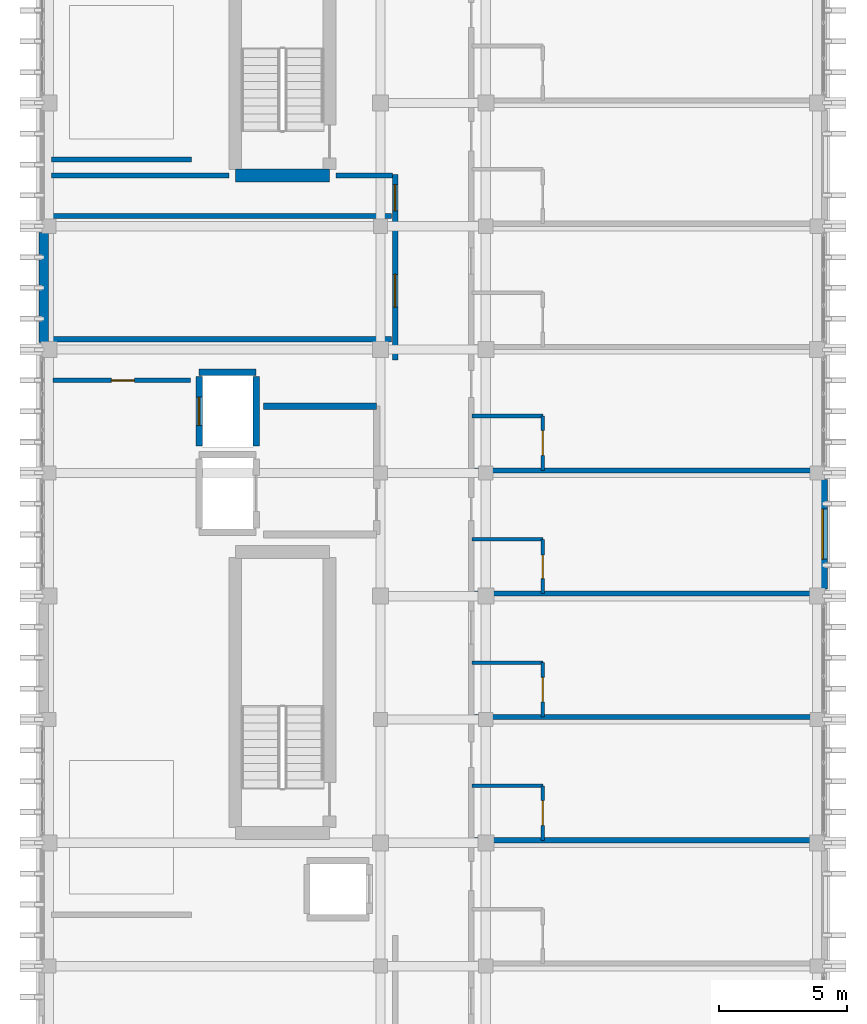
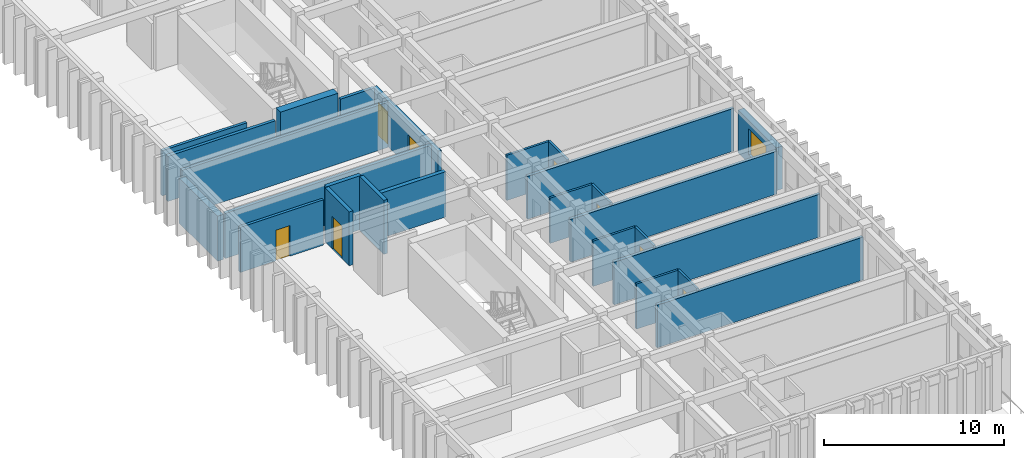
# One storey, part 42 of 50: 26 walls, 8 doors, 1 window, 9 openings.
"""IFC4 building model written with IfcOpenShell, lengths in metres."""

from ifc_helpers import new_model, si_unit, direction, frame, frame_2d, origin, place, context, subcontext, project, spatial, rectangle, extrude, material, layer, layer_set, type_object, element, fill, save


model = new_model("IFC4")

# Units and contexts
model_context = context("Model", 3, precision=1e-05, world=origin(), true_north=direction((0.0, 1.0)))
body_context = subcontext(model_context, "Body", "Model", "MODEL_VIEW")
ifc_project = project(units=[si_unit("LENGTHUNIT", "METRE"), si_unit("AREAUNIT", "SQUARE_METRE"), si_unit("VOLUMEUNIT", "CUBIC_METRE"), si_unit("PLANEANGLEUNIT", "RADIAN"), si_unit("MASSUNIT", "GRAM", prefix="KILO")], contexts=[model_context])

# Site, building, storey
site_placement = place(None, origin())
site = spatial("IfcSite", under=ifc_project, at=site_placement, CompositionType="ELEMENT")
building_placement = place(site_placement, origin())
building = spatial("IfcBuilding", under=site, at=building_placement, Name="Nakhvara Creek Congress Hotel", CompositionType="ELEMENT")
storey_placement = place(building_placement, frame((0.0, 0.0, 42.60009765625)))
storey = spatial("IfcBuildingStorey", under=building, at=storey_placement, Name="L10", CompositionType="ELEMENT", Elevation=42.60009765625)

# Wall
ifc_material_1 = material(Name="Concrete C50/60", Category="concrete")
ifc_layer_1 = layer(ifc_material_1, 0.5)
ifc_layer_set_1 = layer_set([ifc_layer_1], Name="Concrete C50/60")
wall_type_1 = type_object("IfcWallType", Name="W-CORE-500", PredefinedType="SHEAR", material=ifc_layer_set_1)
wall_1_placement = place(storey_placement, frame((156.699951171875, 102.780029296875, 0.0), z_axis=(0.0, 0.0, 1.0), x_axis=(1.0, 0.0, 0.0)))
element("IfcWall", 1, at=wall_1_placement, inside=storey, type_object=wall_type_1, Name="Core Shear Wall WS01-CWALL-L10-0484", PredefinedType="SHEAR", context=body_context, shape_type="SweptSolid", body=[
    extrude(rectangle(XDim=3.670166015625, YDim=0.5, at=frame_2d((1.8349609375, 0.0))), origin(), (0.0, 0.0, 1.0), 3.659912109375),
])

# Wall, openings, doors
ifc_material_2 = material(Name="Gypsum acoustic board on steel stud", Category="steel")
ifc_layer_2 = layer(ifc_material_2, 0.219970703125)
ifc_layer_set_2 = layer_set([ifc_layer_2], Name="Gypsum acoustic board on steel stud")
wall_type_2 = type_object("IfcWallType", Name="W-CORR-220", PredefinedType="PARTITIONING", material=ifc_layer_set_2)
wall_2_placement = place(storey_placement, frame((162.919921875, 95.60009765625, 0.0), z_axis=(0.0, 0.0, 1.0), x_axis=(0.0, 1.0, 0.0)))
wall_2 = element("IfcWall", 2, at=wall_2_placement, inside=storey, type_object=wall_type_2, Name="Interior Wall WP11-IW-L10-0702", PredefinedType="PARTITIONING", context=body_context, shape_type="SweptSolid", body=[
    extrude(rectangle(XDim=7.219970703125, YDim=0.219970703125, at=frame_2d((3.60986328125, 0.0))), origin(), (0.0, 0.0, 1.0), 3.072021484375),
])
opening_1_placement = place(wall_2_placement, frame((2.050048828125, 0.0, 0.0)))
opening_1 = element("IfcOpeningElement", 3, at=opening_1_placement, cuts=wall_2, Name="Opening ID07", PredefinedType="OPENING", context=body_context, shape_type="SweptSolid", body=[
    extrude(rectangle(XDim=1.280029296875, YDim=2.159912109375, at=frame_2d((0.64013671875, 1.080078125))), frame((0.0, 0.1220703125, 0.0), z_axis=(0.0, -1.0, 0.0), x_axis=(1.0, 0.0, 0.0)), (0.0, 0.0, 1.0), 0.243896484375),
])
opening_2_placement = place(wall_2_placement, frame((5.800048828125, 0.0, 0.0)))
opening_2 = element("IfcOpeningElement", 4, at=opening_2_placement, cuts=wall_2, Name="Opening GD01", PredefinedType="OPENING", context=body_context, shape_type="SweptSolid", body=[
    extrude(rectangle(XDim=1.02001953125, YDim=2.199951171875, at=frame_2d((0.510009765625, 1.10009765625))), frame((0.0, 0.1220703125, 0.0), z_axis=(0.0, -1.0, 0.0), x_axis=(1.0, 0.0, 0.0)), (0.0, 0.0, 1.0), 0.243896484375),
])
ifc_material_3 = material(Name="Brushed stainless-clad BOH door")
door_type_1 = type_object("IfcDoorType", Name="DT-BOH-128", OperationType="NOTDEFINED", PredefinedType="DOOR", material=ifc_material_3)
door_1_placement = place(opening_1_placement, frame((1.280029296875, 0.0, 0.0), z_axis=(0.0, 0.0, 1.0), x_axis=(-1.0, 0.0, 0.0)))
door_1 = element("IfcDoor", 5, at=door_1_placement, inside=storey, type_object=door_type_1, Name="Interior Door ID07-0511", OperationType="SINGLE_SWING_RIGHT", OverallHeight=2.159912109375, OverallWidth=1.280029296875, PredefinedType="DOOR", context=body_context, shape_type="SweptSolid", body=[
    extrude(rectangle(XDim=1.280029296875, YDim=2.159912109375, at=frame_2d((0.64013671875, 1.080078125))), frame((0.0, 0.02490234375, 0.0), z_axis=(0.0, -1.0, 0.0), x_axis=(1.0, 0.0, 0.0)), (0.0, 0.0, 1.0), 0.050048828125),
])
fill(opening_1, door_1)
ifc_material_4 = material(Name="Walnut hardwood timber fire door", Category="wood")
door_type_2 = type_object("IfcDoorType", Name="DT-GUEST-102", OperationType="NOTDEFINED", PredefinedType="DOOR", material=ifc_material_4)
door_2_placement = place(opening_2_placement, frame((1.02001953125, 0.0, 0.0), z_axis=(0.0, 0.0, 1.0), x_axis=(-1.0, 0.0, 0.0)))
door_2 = element("IfcDoor", 6, at=door_2_placement, inside=storey, type_object=door_type_2, Name="Interior Door GD01-0512", OperationType="SINGLE_SWING_LEFT", OverallHeight=2.199951171875, OverallWidth=1.02001953125, PredefinedType="DOOR", context=body_context, shape_type="SweptSolid", body=[
    extrude(rectangle(XDim=1.02001953125, YDim=2.199951171875, at=frame_2d((0.510009765625, 1.10009765625))), frame((0.0, 0.02490234375, 0.0), z_axis=(0.0, -1.0, 0.0), x_axis=(1.0, 0.0, 0.0)), (0.0, 0.0, 1.0), 0.050048828125),
])
fill(opening_2, door_2)

# Wall, opening, door
ifc_material_5 = material(Name="Moisture-resistant gypsum board partition")
ifc_layer_3 = layer(ifc_material_5, 0.139892578125)
ifc_layer_set_3 = layer_set([ifc_layer_3], Name="Moisture-resistant gypsum board partition")
wall_type_3 = type_object("IfcWallType", Name="W-ENS-140", PredefinedType="PARTITIONING", material=ifc_layer_set_3)
wall_3_placement = place(storey_placement, frame((168.669921875, 76.89990234375, 0.0), z_axis=(0.0, 0.0, 1.0), x_axis=(0.0, 1.0, 0.0)))
wall_3 = element("IfcWall", 7, at=wall_3_placement, inside=storey, type_object=wall_type_3, Name="Interior Wall WP15-IW-L10-0721", PredefinedType="PARTITIONING", context=body_context, shape_type="SweptSolid", body=[
    extrude(rectangle(XDim=2.1162109375, YDim=0.139892578125, at=frame_2d((1.05810546875, 0.0))), origin(), (0.0, 0.0, 1.0), 3.072021484375),
])
opening_3_placement = place(wall_3_placement, frame((0.5830078125, 0.0, 0.0)))
opening_3 = element("IfcOpeningElement", 8, at=opening_3_placement, cuts=wall_3, Name="Opening ID02", PredefinedType="OPENING", context=body_context, shape_type="SweptSolid", body=[
    extrude(rectangle(XDim=0.9599609375, YDim=2.1201171875, at=frame_2d((0.47998046875, 1.06005859375))), frame((0.0, 0.08203125, 0.0), z_axis=(0.0, -1.0, 0.0), x_axis=(1.0, 0.0, 0.0)), (0.0, 0.0, 1.0), 0.163818359375),
])
ifc_material_6 = material(Name="Moisture-resistant walnut timber door", Category="wood")
door_type_3 = type_object("IfcDoorType", Name="DT-ENS-096", OperationType="NOTDEFINED", PredefinedType="DOOR", material=ifc_material_6)
door_3_placement = place(opening_3_placement, frame((0.9599609375, 0.0, 0.0), z_axis=(0.0, 0.0, 1.0), x_axis=(-1.0, 0.0, 0.0)))
door_3 = element("IfcDoor", 9, at=door_3_placement, inside=storey, type_object=door_type_3, Name="Interior Door ID02-0521", OperationType="SINGLE_SWING_RIGHT", OverallHeight=2.1201171875, OverallWidth=0.9599609375, PredefinedType="DOOR", context=body_context, shape_type="SweptSolid", body=[
    extrude(rectangle(XDim=0.9599609375, YDim=2.1201171875, at=frame_2d((0.47998046875, 1.06005859375))), frame((0.0, 0.02490234375, 0.0), z_axis=(0.0, -1.0, 0.0), x_axis=(1.0, 0.0, 0.0)), (0.0, 0.0, 1.0), 0.050048828125),
])
fill(opening_3, door_3)

# Wall
wall_4_placement = place(storey_placement, frame((165.919921875, 79.01611328125, 0.0), z_axis=(0.0, 0.0, 1.0), x_axis=(1.0, 0.0, 0.0)))
element("IfcWall", 10, at=wall_4_placement, inside=storey, type_object=wall_type_3, Name="Interior Wall WP15-IW-L10-0722", PredefinedType="PARTITIONING", context=body_context, shape_type="SweptSolid", body=[
    extrude(rectangle(XDim=2.75, YDim=0.139892578125, at=frame_2d((1.375, 0.0))), origin(), (0.0, 0.0, 1.0), 3.072021484375),
])

# Wall, opening, door
wall_5_placement = place(storey_placement, frame((168.669921875, 81.699951171875, 0.0), z_axis=(0.0, 0.0, 1.0), x_axis=(0.0, 1.0, 0.0)))
wall_5 = element("IfcWall", 11, at=wall_5_placement, inside=storey, type_object=wall_type_3, Name="Interior Wall WP15-IW-L10-0724", PredefinedType="PARTITIONING", context=body_context, shape_type="SweptSolid", body=[
    extrude(rectangle(XDim=2.115966796875, YDim=0.139892578125, at=frame_2d((1.05810546875, 0.0))), origin(), (0.0, 0.0, 1.0), 3.072021484375),
])
opening_4_placement = place(wall_5_placement, frame((0.5830078125, 0.0, 0.0)))
opening_4 = element("IfcOpeningElement", 12, at=opening_4_placement, cuts=wall_5, Name="Opening ID02", PredefinedType="OPENING", context=body_context, shape_type="SweptSolid", body=[
    extrude(rectangle(XDim=0.9599609375, YDim=2.1201171875, at=frame_2d((0.47998046875, 1.06005859375))), frame((0.0, 0.08203125, 0.0), z_axis=(0.0, -1.0, 0.0), x_axis=(1.0, 0.0, 0.0)), (0.0, 0.0, 1.0), 0.163818359375),
])
door_4_placement = place(opening_4_placement, frame((0.9599609375, 0.0, 0.0), z_axis=(0.0, 0.0, 1.0), x_axis=(-1.0, 0.0, 0.0)))
door_4 = element("IfcDoor", 13, at=door_4_placement, inside=storey, type_object=door_type_3, Name="Interior Door ID02-0523", OperationType="SINGLE_SWING_RIGHT", OverallHeight=2.1201171875, OverallWidth=0.9599609375, PredefinedType="DOOR", context=body_context, shape_type="SweptSolid", body=[
    extrude(rectangle(XDim=0.9599609375, YDim=2.1201171875, at=frame_2d((0.47998046875, 1.06005859375))), frame((0.0, 0.02490234375, 0.0), z_axis=(0.0, -1.0, 0.0), x_axis=(1.0, 0.0, 0.0)), (0.0, 0.0, 1.0), 0.050048828125),
])
fill(opening_4, door_4)

# Wall
wall_6_placement = place(storey_placement, frame((165.919921875, 83.81591796875, 0.0), z_axis=(0.0, 0.0, 1.0), x_axis=(1.0, 0.0, 0.0)))
element("IfcWall", 14, at=wall_6_placement, inside=storey, type_object=wall_type_3, Name="Interior Wall WP15-IW-L10-0725", PredefinedType="PARTITIONING", context=body_context, shape_type="SweptSolid", body=[
    extrude(rectangle(XDim=2.75, YDim=0.139892578125, at=frame_2d((1.375, 0.0))), origin(), (0.0, 0.0, 1.0), 3.072021484375),
])

# Wall, opening, door
wall_7_placement = place(storey_placement, frame((168.669921875, 86.5, 0.0), z_axis=(0.0, 0.0, 1.0), x_axis=(0.0, 1.0, 0.0)))
wall_7 = element("IfcWall", 15, at=wall_7_placement, inside=storey, type_object=wall_type_3, Name="Interior Wall WP15-IW-L10-0727", PredefinedType="PARTITIONING", context=body_context, shape_type="SweptSolid", body=[
    extrude(rectangle(XDim=2.115966796875, YDim=0.139892578125, at=frame_2d((1.05810546875, 0.0))), origin(), (0.0, 0.0, 1.0), 3.072021484375),
])
opening_5_placement = place(wall_7_placement, frame((0.5830078125, 0.0, 0.0)))
opening_5 = element("IfcOpeningElement", 16, at=opening_5_placement, cuts=wall_7, Name="Opening ID01", PredefinedType="OPENING", context=body_context, shape_type="SweptSolid", body=[
    extrude(rectangle(XDim=0.919921875, YDim=2.10009765625, at=frame_2d((0.4599609375, 1.050048828125))), frame((0.0, 0.08203125, 0.0), z_axis=(0.0, -1.0, 0.0), x_axis=(1.0, 0.0, 0.0)), (0.0, 0.0, 1.0), 0.163818359375),
])
door_type_4 = type_object("IfcDoorType", Name="DT-ENS-092", OperationType="NOTDEFINED", PredefinedType="DOOR", material=ifc_material_6)
door_5_placement = place(opening_5_placement, frame((0.919921875, 0.0, 0.0), z_axis=(0.0, 0.0, 1.0), x_axis=(-1.0, 0.0, 0.0)))
door_5 = element("IfcDoor", 17, at=door_5_placement, inside=storey, type_object=door_type_4, Name="Interior Door ID01-0525", OperationType="SINGLE_SWING_RIGHT", OverallHeight=2.10009765625, OverallWidth=0.919921875, PredefinedType="DOOR", context=body_context, shape_type="SweptSolid", body=[
    extrude(rectangle(XDim=0.919921875, YDim=2.10009765625, at=frame_2d((0.4599609375, 1.050048828125))), frame((0.0, 0.02490234375, 0.0), z_axis=(0.0, -1.0, 0.0), x_axis=(1.0, 0.0, 0.0)), (0.0, 0.0, 1.0), 0.050048828125),
])
fill(opening_5, door_5)

# Wall
wall_8_placement = place(storey_placement, frame((165.919921875, 88.615966796875, 0.0), z_axis=(0.0, 0.0, 1.0), x_axis=(1.0, 0.0, 0.0)))
element("IfcWall", 18, at=wall_8_placement, inside=storey, type_object=wall_type_3, Name="Interior Wall WP15-IW-L10-0728", PredefinedType="PARTITIONING", context=body_context, shape_type="SweptSolid", body=[
    extrude(rectangle(XDim=2.75, YDim=0.139892578125, at=frame_2d((1.375, 0.0))), origin(), (0.0, 0.0, 1.0), 3.072021484375),
])

# Wall, opening, door
wall_9_placement = place(storey_placement, frame((168.669921875, 91.300048828125, 0.0), z_axis=(0.0, 0.0, 1.0), x_axis=(0.0, 1.0, 0.0)))
wall_9 = element("IfcWall", 19, at=wall_9_placement, inside=storey, type_object=wall_type_3, Name="Interior Wall WP15-IW-L10-0730", PredefinedType="PARTITIONING", context=body_context, shape_type="SweptSolid", body=[
    extrude(rectangle(XDim=2.115966796875, YDim=0.139892578125, at=frame_2d((1.05810546875, 0.0))), origin(), (0.0, 0.0, 1.0), 3.072021484375),
])
opening_6_placement = place(wall_9_placement, frame((0.5830078125, 0.0, 0.0)))
opening_6 = element("IfcOpeningElement", 20, at=opening_6_placement, cuts=wall_9, Name="Opening ID02", PredefinedType="OPENING", context=body_context, shape_type="SweptSolid", body=[
    extrude(rectangle(XDim=0.9599609375, YDim=2.1201171875, at=frame_2d((0.47998046875, 1.06005859375))), frame((0.0, 0.08203125, 0.0), z_axis=(0.0, -1.0, 0.0), x_axis=(1.0, 0.0, 0.0)), (0.0, 0.0, 1.0), 0.163818359375),
])
door_6_placement = place(opening_6_placement, frame((0.9599609375, 0.0, 0.0), z_axis=(0.0, 0.0, 1.0), x_axis=(-1.0, 0.0, 0.0)))
door_6 = element("IfcDoor", 21, at=door_6_placement, inside=storey, type_object=door_type_3, Name="Interior Door ID02-0527", OperationType="SINGLE_SWING_RIGHT", OverallHeight=2.1201171875, OverallWidth=0.9599609375, PredefinedType="DOOR", context=body_context, shape_type="SweptSolid", body=[
    extrude(rectangle(XDim=0.9599609375, YDim=2.1201171875, at=frame_2d((0.47998046875, 1.06005859375))), frame((0.0, 0.02490234375, 0.0), z_axis=(0.0, -1.0, 0.0), x_axis=(1.0, 0.0, 0.0)), (0.0, 0.0, 1.0), 0.050048828125),
])
fill(opening_6, door_6)

# Wall
wall_10_placement = place(storey_placement, frame((165.919921875, 93.416015625, 0.0), z_axis=(0.0, 0.0, 1.0), x_axis=(1.0, 0.0, 0.0)))
element("IfcWall", 22, at=wall_10_placement, inside=storey, type_object=wall_type_3, Name="Interior Wall WP15-IW-L10-0731", PredefinedType="PARTITIONING", context=body_context, shape_type="SweptSolid", body=[
    extrude(rectangle(XDim=2.75, YDim=0.139892578125, at=frame_2d((1.375, 0.0))), origin(), (0.0, 0.0, 1.0), 3.072021484375),
])

# Wall, opening, window
ifc_material_7 = material(Name="Honed pale Omani limestone cladding", Category="masonry")
ifc_layer_4 = layer(ifc_material_7, 0.050048828125)
ifc_material_8 = material(Name="Mineral wool thermal insulation")
ifc_layer_5 = layer(ifc_material_8, 0.110107421875)
ifc_material_9 = material(Name="Precast concrete C40/50", Category="concrete")
ifc_layer_6 = layer(ifc_material_9, 0.219970703125)
ifc_layer_set_4 = layer_set([ifc_layer_4, ifc_layer_5, ifc_layer_6], Name="Precast concrete C40/50")
wall_type_4 = type_object("IfcWallType", Name="W-EXT-380", PredefinedType="SOLIDWALL", material=ifc_layer_set_4)
wall_11_placement = place(storey_placement, frame((179.56005859375, 90.949951171875, 0.0), z_axis=(0.0, 0.0, 1.0), x_axis=(0.0, -1.0, 0.0)))
wall_11 = element("IfcWall", 23, at=wall_11_placement, inside=storey, type_object=wall_type_4, Name="Exterior Wall WE03-EW-L10-0216", PredefinedType="SOLIDWALL", context=body_context, shape_type="SweptSolid", body=[
    extrude(rectangle(XDim=4.264892578125, YDim=0.3798828125, at=frame_2d((2.13232421875, 0.0))), origin(), (0.0, 0.0, 1.0), 2.90185546875),
])
opening_7_placement = place(wall_11_placement, frame((1.157470703125, 0.0, 0.550048828125)))
opening_7 = element("IfcOpeningElement", 24, at=opening_7_placement, cuts=wall_11, Name="Opening WN0238", PredefinedType="OPENING", context=body_context, shape_type="SweptSolid", body=[
    extrude(rectangle(XDim=1.949951171875, YDim=1.77001953125, at=frame_2d((0.97509765625, 0.885009765625))), frame((0.0, 0.201904296875, 0.0), z_axis=(0.0, -1.0, 0.0), x_axis=(1.0, 0.0, 0.0)), (0.0, 0.0, 1.0), 0.40380859375),
])
ifc_material_10 = material(Name="Thermally broken bronze-anodised aluminium and double-silver low-E insulated glass", Category="aluminium")
window_type = type_object("IfcWindowType", Name="WN-LAN-195X230", PartitioningType="SINGLE_PANEL", PredefinedType="WINDOW", material=ifc_material_10)
window_placement = place(opening_7_placement, origin())
window = element("IfcWindow", 25, at=window_placement, inside=storey, type_object=window_type, Name="Facade Window WN0238", OverallHeight=1.77001953125, OverallWidth=1.949951171875, PartitioningType="SINGLE_PANEL", PredefinedType="WINDOW", context=body_context, shape_type="SweptSolid", body=[
    extrude(rectangle(XDim=1.949951171875, YDim=1.77001953125, at=frame_2d((0.97509765625, 0.885009765625))), frame((0.0, 0.030029296875, 0.0), z_axis=(0.0, -1.0, 0.0), x_axis=(1.0, 0.0, 0.0)), (0.0, 0.0, 1.0), 0.06005859375),
])
fill(opening_7, window)

# Walls
wall_12_placement = place(storey_placement, frame((149.239990234375, 96.284912109375, 0.0), z_axis=(0.0, 0.0, 1.0), x_axis=(0.0, 1.0, 0.0)))
element("IfcWall", 26, at=wall_12_placement, inside=storey, type_object=wall_type_4, Name="Exterior Wall WE03-EW-L10-0217", PredefinedType="SOLIDWALL", context=body_context, shape_type="SweptSolid", body=[
    extrude(rectangle(XDim=4.26513671875, YDim=0.3798828125, at=frame_2d((2.132568359375, 0.0))), origin(), (0.0, 0.0, 1.0), 3.072021484375),
])
ifc_material_11 = material(Name="Concrete C40/50", Category="concrete")
ifc_layer_7 = layer(ifc_material_11, 0.260009765625)
ifc_layer_set_5 = layer_set([ifc_layer_7], Name="Concrete C40/50")
wall_type_5 = type_object("IfcWallType", Name="W-FFL-260", PredefinedType="SOLIDWALL", material=ifc_layer_set_5)
wall_13_placement = place(storey_placement, frame((157.800048828125, 93.800048828125, 0.0), z_axis=(0.0, 0.0, 1.0), x_axis=(1.0, 0.0, 0.0)))
element("IfcWall", 27, at=wall_13_placement, inside=storey, type_object=wall_type_5, Name="Core Shear Wall WI03-CWALL-L10-0234", PredefinedType="SOLIDWALL", context=body_context, shape_type="SweptSolid", body=[
    extrude(rectangle(XDim=4.39990234375, YDim=0.260009765625, at=frame_2d((2.199951171875, 0.0))), origin(), (0.0, 0.0, 1.0), 3.072021484375),
])
ifc_layer_8 = layer(ifc_material_2, 0.179931640625)
ifc_layer_set_6 = layer_set([ifc_layer_8], Name="Gypsum acoustic board on steel stud")
wall_type_6 = type_object("IfcWallType", Name="W-MEET-180", PredefinedType="PARTITIONING", material=ifc_layer_set_6)
wall_14_placement = place(storey_placement, frame((149.550048828125, 101.199951171875, 0.0), z_axis=(0.0, 0.0, 1.0), x_axis=(1.0, 0.0, 0.0)))
element("IfcWall", 28, at=wall_14_placement, inside=storey, type_object=wall_type_6, Name="Interior Wall WP13-IW-L10-0706", PredefinedType="PARTITIONING", context=body_context, shape_type="SweptSolid", body=[
    extrude(rectangle(XDim=13.22998046875, YDim=0.179931640625, at=frame_2d((6.614990234375, 0.0))), origin(), (0.0, 0.0, 1.0), 3.072021484375),
])

# Wall, opening, door
wall_15_placement = place(storey_placement, frame((149.60009765625, 94.800048828125, 0.0), z_axis=(0.0, 0.0, 1.0), x_axis=(1.0, 0.0, 0.0)))
wall_15 = element("IfcWall", 29, at=wall_15_placement, inside=storey, type_object=wall_type_6, Name="Interior Wall WP13-IW-L10-0710", PredefinedType="PARTITIONING", context=body_context, shape_type="SweptSolid", body=[
    extrude(rectangle(XDim=5.349853515625, YDim=0.179931640625, at=frame_2d((2.6748046875, 0.0))), origin(), (0.0, 0.0, 1.0), 3.072021484375),
])
opening_8_placement = place(wall_15_placement, frame((2.27490234375, 0.0, 0.0)))
opening_8 = element("IfcOpeningElement", 30, at=opening_8_placement, cuts=wall_15, Name="Opening ID03", PredefinedType="OPENING", context=body_context, shape_type="SweptSolid", body=[
    extrude(rectangle(XDim=0.89990234375, YDim=2.080078125, at=frame_2d((0.449951171875, 1.0400390625))), frame((0.0, 0.10205078125, 0.0), z_axis=(0.0, -1.0, 0.0), x_axis=(1.0, 0.0, 0.0)), (0.0, 0.0, 1.0), 0.203857421875),
])
ifc_material_12 = material(Name="Moisture-resistant laminate timber door", Category="wood")
door_type_5 = type_object("IfcDoorType", Name="DT-WC-090", OperationType="NOTDEFINED", PredefinedType="DOOR", material=ifc_material_12)
door_7_placement = place(opening_8_placement, origin())
door_7 = element("IfcDoor", 31, at=door_7_placement, inside=storey, type_object=door_type_5, Name="Interior Door ID03-0513", OperationType="SINGLE_SWING_RIGHT", OverallHeight=2.080078125, OverallWidth=0.89990234375, PredefinedType="DOOR", context=body_context, shape_type="SweptSolid", body=[
    extrude(rectangle(XDim=0.89990234375, YDim=2.080078125, at=frame_2d((0.449951171875, 1.0400390625))), frame((0.0, 0.02490234375, 0.0), z_axis=(0.0, -1.0, 0.0), x_axis=(1.0, 0.0, 0.0)), (0.0, 0.0, 1.0), 0.050048828125),
])
fill(opening_8, door_7)

# Walls
wall_16_placement = place(storey_placement, frame((149.550048828125, 103.39990234375, 0.0), z_axis=(0.0, 0.0, 1.0), x_axis=(1.0, 0.0, 0.0)))
element("IfcWall", 32, at=wall_16_placement, inside=storey, type_object=wall_type_6, Name="Interior Wall WP13-IW-L10-0711", PredefinedType="PARTITIONING", context=body_context, shape_type="SweptSolid", body=[
    extrude(rectangle(XDim=5.449951171875, YDim=0.179931640625, at=frame_2d((2.72509765625, 0.0))), origin(), (0.0, 0.0, 1.0), 3.072021484375),
])
ifc_layer_9 = layer(ifc_material_2, 0.199951171875)
ifc_layer_set_7 = layer_set([ifc_layer_9], Name="Gypsum acoustic board on steel stud")
wall_type_7 = type_object("IfcWallType", Name="W-PART-200", PredefinedType="PARTITIONING", material=ifc_layer_set_7)
wall_17_placement = place(storey_placement, frame((149.550048828125, 96.39990234375, 0.0), z_axis=(0.0, 0.0, 1.0), x_axis=(1.0, 0.0, 0.0)))
element("IfcWall", 33, at=wall_17_placement, inside=storey, type_object=wall_type_7, Name="Interior Wall WP12-IW-L10-0705", PredefinedType="PARTITIONING", context=body_context, shape_type="SweptSolid", body=[
    extrude(rectangle(XDim=13.22998046875, YDim=0.199951171875, at=frame_2d((6.614990234375, 0.0))), origin(), (0.0, 0.0, 1.0), 3.072021484375),
])
wall_18_placement = place(storey_placement, frame((149.550048828125, 102.780029296875, 0.0), z_axis=(0.0, 0.0, 1.0), x_axis=(1.0, 0.0, 0.0)))
element("IfcWall", 34, at=wall_18_placement, inside=storey, type_object=wall_type_7, Name="Interior Wall WP12-IW-L10-0707", PredefinedType="PARTITIONING", context=body_context, shape_type="SweptSolid", body=[
    extrude(rectangle(XDim=6.89990234375, YDim=0.199951171875, at=frame_2d((3.449951171875, 0.0))), origin(), (0.0, 0.0, 1.0), 3.072021484375),
])
wall_19_placement = place(storey_placement, frame((160.6201171875, 102.780029296875, 0.0), z_axis=(0.0, 0.0, 1.0), x_axis=(1.0, 0.0, 0.0)))
element("IfcWall", 35, at=wall_19_placement, inside=storey, type_object=wall_type_7, Name="Interior Wall WP12-IW-L10-0708", PredefinedType="PARTITIONING", context=body_context, shape_type="SweptSolid", body=[
    extrude(rectangle(XDim=2.18994140625, YDim=0.199951171875, at=frame_2d((1.094970703125, 0.0))), origin(), (0.0, 0.0, 1.0), 3.072021484375),
])
for number, where, z_axis, x_axis, name in (
    (36, (166.02001953125, 76.89990234375, 0.0), (0.0, 0.0, 1.0), (1.0, 0.0, 0.0), "Interior Wall WP12-IW-L10-0720"),
    (37, (166.02001953125, 81.699951171875, 0.0), (0.0, 0.0, 1.0), (1.0, 0.0, 0.0), "Interior Wall WP12-IW-L10-0723"),
    (38, (166.02001953125, 86.5, 0.0), (0.0, 0.0, 1.0), (1.0, 0.0, 0.0), "Interior Wall WP12-IW-L10-0726"),
    (39, (166.02001953125, 91.300048828125, 0.0), (0.0, 0.0, 1.0), (1.0, 0.0, 0.0), "Interior Wall WP12-IW-L10-0729"),
):
    element("IfcWall", number, at=place(storey_placement, frame(where, z_axis=z_axis, x_axis=x_axis)), inside=storey, type_object=wall_type_7, Name=name, PredefinedType="PARTITIONING", context=body_context, shape_type="SweptSolid", body=[
        extrude(rectangle(XDim=13.22998046875, YDim=0.199951171875, at=frame_2d((6.614990234375, 0.0))), origin(), (0.0, 0.0, 1.0), 2.90185546875),
    ])
ifc_layer_10 = layer(ifc_material_11, 0.25)
ifc_layer_set_8 = layer_set([ifc_layer_10], Name="Concrete C40/50")
wall_type_8 = type_object("IfcWallType", Name="W-SHAFT-250", PredefinedType="SOLIDWALL", material=ifc_layer_set_8)
wall_20_placement = place(storey_placement, frame((155.2900390625, 95.110107421875, 0.0), z_axis=(0.0, 0.0, 1.0), x_axis=(1.0, 0.0, 0.0)))
element("IfcWall", 40, at=wall_20_placement, inside=storey, type_object=wall_type_8, Name="Core Shear Wall WI02-CWALL-L10-0225", PredefinedType="SOLIDWALL", context=body_context, shape_type="SweptSolid", body=[
    extrude(rectangle(XDim=2.219970703125, YDim=0.25, at=frame_2d((1.10986328125, 0.0))), origin(), (0.0, 0.0, 1.0), 3.659912109375),
])

# Wall, opening, door
wall_21_placement = place(storey_placement, frame((155.2900390625, 92.25, 0.0), z_axis=(0.0, 0.0, 1.0), x_axis=(0.0, 1.0, 0.0)))
wall_21 = element("IfcWall", 41, at=wall_21_placement, inside=storey, type_object=wall_type_8, Name="Core Shear Wall WI02-CWALL-L10-0226", PredefinedType="SOLIDWALL", context=body_context, shape_type="SweptSolid", body=[
    extrude(rectangle(XDim=2.699951171875, YDim=0.25, at=frame_2d((1.35009765625, 0.0))), origin(), (0.0, 0.0, 1.0), 3.659912109375),
])
opening_9_placement = place(wall_21_placement, frame((0.800048828125, 0.0, 0.0)))
opening_9 = element("IfcOpeningElement", 42, at=opening_9_placement, cuts=wall_21, Name="Opening LD01", PredefinedType="OPENING", context=body_context, shape_type="SweptSolid", body=[
    extrude(rectangle(XDim=1.10009765625, YDim=2.199951171875, at=frame_2d((0.550048828125, 1.10009765625))), frame((0.0, 0.136962890625, 0.0), z_axis=(0.0, -1.0, 0.0), x_axis=(1.0, 0.0, 0.0)), (0.0, 0.0, 1.0), 0.27392578125),
])
ifc_material_13 = material(Name="Brushed stainless steel sliding landing door", Category="steel")
door_type_6 = type_object("IfcDoorType", Name="DT-LIFT-110", OperationType="DOUBLE_DOOR_SLIDING", PredefinedType="DOOR", material=ifc_material_13)
door_8_placement = place(opening_9_placement, origin())
door_8 = element("IfcDoor", 43, at=door_8_placement, inside=storey, type_object=door_type_6, Name="Landing Door SL01-L10", OperationType="SLIDING_TO_LEFT", OverallHeight=2.199951171875, OverallWidth=1.10009765625, PredefinedType="DOOR", context=body_context, shape_type="SweptSolid", body=[
    extrude(rectangle(XDim=1.10009765625, YDim=2.199951171875, at=frame_2d((0.550048828125, 1.10009765625))), frame((0.0, 0.02490234375, 0.0), z_axis=(0.0, -1.0, 0.0), x_axis=(1.0, 0.0, 0.0)), (0.0, 0.0, 1.0), 0.050048828125),
])
fill(opening_9, door_8)

# Wall
wall_22_placement = place(storey_placement, frame((157.510009765625, 92.25, 0.0), z_axis=(0.0, 0.0, 1.0), x_axis=(0.0, 1.0, 0.0)))
element("IfcWall", 44, at=wall_22_placement, inside=storey, type_object=wall_type_8, Name="Core Shear Wall WI02-CWALL-L10-0227", PredefinedType="SOLIDWALL", context=body_context, shape_type="SweptSolid", body=[
    extrude(rectangle(XDim=2.699951171875, YDim=0.25, at=frame_2d((1.35009765625, 0.0))), origin(), (0.0, 0.0, 1.0), 3.659912109375),
])

save(model, "model.ifc")
